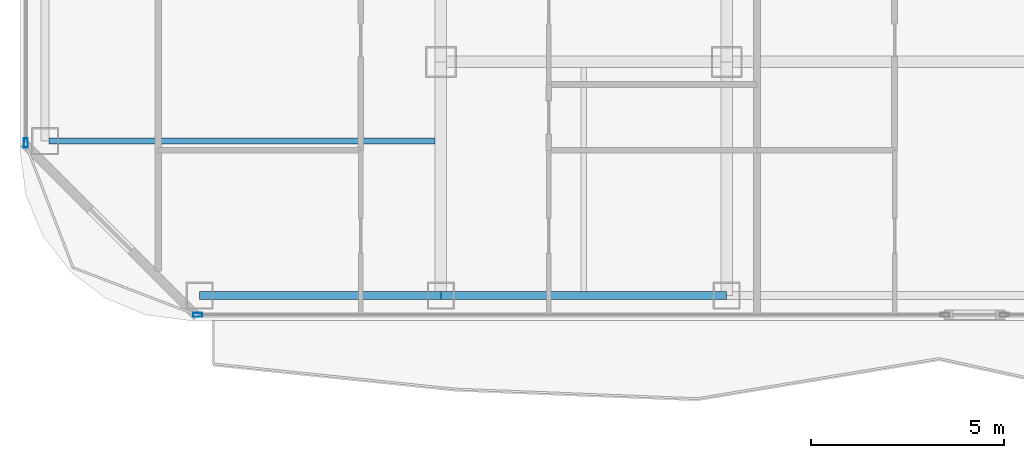
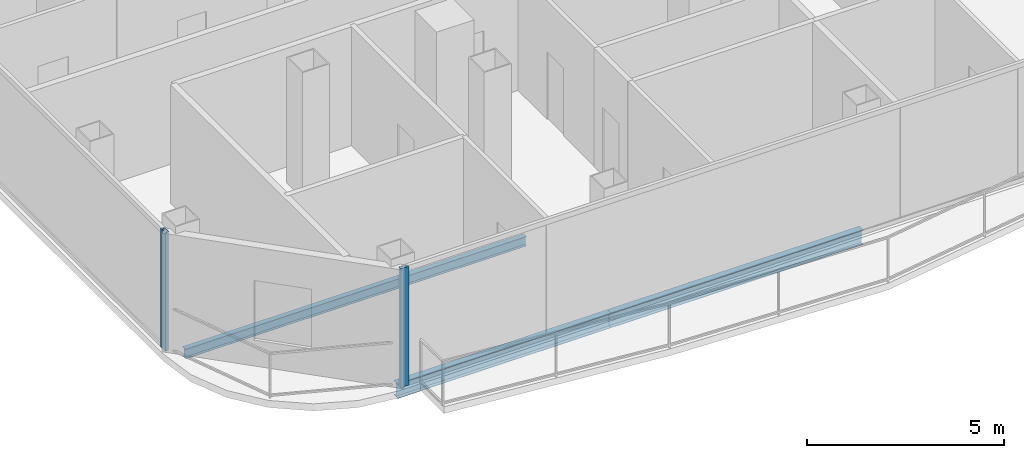
# One storey, part 2 of 26: 3 beams, 2 members, 2 elements without a shape of their own.
"""IFC4 building model written with IfcOpenShell, lengths in metres."""

from ifc_helpers import new_model, si_unit, direction, frame, origin, origin_2d, place, context, subcontext, project, spatial, hollow_rectangle, i_section, extrude, material, layer, layer_set, material_profile, profile_set, type_object, element, aggregate, save


model = new_model("IFC4")

# Units and contexts
model_context = context("Model", 3, precision=1e-05, world=origin(), true_north=direction((0.0, 1.0)))
body_context = subcontext(model_context, "Body", "Model", "MODEL_VIEW")
ifc_project = project(units=[si_unit("LENGTHUNIT", "METRE"), si_unit("AREAUNIT", "SQUARE_METRE"), si_unit("VOLUMEUNIT", "CUBIC_METRE"), si_unit("PLANEANGLEUNIT", "RADIAN"), si_unit("MASSUNIT", "GRAM", prefix="KILO")], contexts=[model_context])

# Site, building, storey
site_placement = place(None, origin())
site = spatial("IfcSite", under=ifc_project, at=site_placement, CompositionType="ELEMENT")
building_placement = place(site_placement, origin())
building = spatial("IfcBuilding", under=site, at=building_placement, Name="Khorvyn Point Tower", CompositionType="ELEMENT")
storey_placement = place(building_placement, frame((0.0, 0.0, 183.60009765625)))
storey = spatial("IfcBuildingStorey", under=building, at=storey_placement, Name="L45", CompositionType="ELEMENT", Elevation=183.60009765625)

# Curtain wall, member
ifc_material_1 = material(Name="Anodised aluminium 6063-T6 and laminated Low-E glass", Category="aluminium")
ifc_layer = layer(ifc_material_1, 0.18994140625)
ifc_layer_set = layer_set([ifc_layer], Name="Stick-Built Acoustic Curtain Wall CW-SYS-03")
curtain_wall_type = type_object("IfcCurtainWallType", Name="Stick-Built Acoustic Curtain Wall CW-SYS-03", PredefinedType="NOTDEFINED", material=ifc_layer_set)
curtain_wall_1_placement = place(storey_placement, origin())
curtain_wall_1 = element("IfcCurtainWall", 1, at=curtain_wall_1_placement, inside=storey, type_object=curtain_wall_type, Name="Curtain Wall", PredefinedType="NOTDEFINED")
ifc_material_2 = material(Name="Anodised aluminium 6063-T6", Category="aluminium")
ifc_material_profile_1 = material_profile(ifc_material_2, hollow_rectangle(XDim=0.10009765625, YDim=0.239990234375, WallThickness=0.0048828125, at=origin_2d()))
ifc_profile_set_1 = profile_set([ifc_material_profile_1], Name="Anodised aluminium 6063-T6 ALU-MUL-100x240")
member_type = type_object("IfcMemberType", Name="Anodised Aluminium 6063-T6 Mullion ALU-MUL-100x240", PredefinedType="MULLION", material=ifc_profile_set_1)
member_1_placement = place(storey_placement, frame((-21.10009765625, -23.64990234375, 0.0), z_axis=(0.0, 0.0, 1.0), x_axis=(0.0, -1.0, 0.0)))
member_1 = element("IfcMember", 2, at=member_1_placement, type_object=member_type, Name="Transom", PredefinedType="MULLION", context=body_context, shape_type="SweptSolid", body=[
    extrude(hollow_rectangle(XDim=0.10009765625, YDim=0.239990234375, WallThickness=0.0048828125, at=origin_2d()), origin(), (0.0, 0.0, 1.0), 3.679931640625),
])
aggregate(curtain_wall_1, [member_1])

curtain_wall_2_placement = place(storey_placement, origin())
curtain_wall_2 = element("IfcCurtainWall", 3, at=curtain_wall_2_placement, inside=storey, type_object=curtain_wall_type, Name="Curtain Wall", PredefinedType="NOTDEFINED")
member_2_placement = place(storey_placement, frame((-25.550048828125, -19.199951171875, 0.0), z_axis=(0.0, 0.0, 1.0), x_axis=(-1.0, 0.0, 0.0)))
member_2 = element("IfcMember", 4, at=member_2_placement, type_object=member_type, Name="Transom", PredefinedType="MULLION", context=body_context, shape_type="SweptSolid", body=[
    extrude(hollow_rectangle(XDim=0.10009765625, YDim=0.239990234375, WallThickness=0.0048828125, at=origin_2d()), origin(), (0.0, 0.0, 1.0), 3.679931640625),
])
aggregate(curtain_wall_2, [member_2])

# Beams
ifc_material_3 = material(Name="Steel S355", Category="steel")
ifc_material_profile_2 = material_profile(ifc_material_3, i_section(OverallWidth=0.14990234375, OverallDepth=0.300048828125, WebThickness=0.006591796875, FlangeThickness=0.009033203125, at=origin_2d()))
ifc_profile_set_2 = profile_set([ifc_material_profile_2], Name="Steel S355 H300x150x6.5x9")
beam_type_1 = type_object("IfcBeamType", Name="Steel S355 Joist H300x150x6.5x9", PredefinedType="JOIST", material=ifc_profile_set_2)
beam_1_placement = place(storey_placement, frame((-24.949951171875, -19.14990234375, -0.3701171875), z_axis=(1.0, 0.0, 0.0), x_axis=(0.0, 1.0, 0.0)))
element("IfcBeam", 5, at=beam_1_placement, inside=storey, type_object=beam_type_1, Name="Beam", PredefinedType="JOIST", context=body_context, shape_type="SweptSolid", body=[
    extrude(i_section(OverallWidth=0.14990234375, OverallDepth=0.300048828125, WebThickness=0.006591796875, FlangeThickness=0.009033203125, at=origin_2d()), origin(), (0.0, 0.0, 1.0), 10.0),
])
ifc_material_profile_3 = material_profile(ifc_material_3, i_section(OverallWidth=0.199951171875, OverallDepth=0.449951171875, WebThickness=0.009033203125, FlangeThickness=0.013916015625, at=origin_2d()))
ifc_profile_set_3 = profile_set([ifc_material_profile_3], Name="Steel S355 H450x200x9x14")
beam_type_2 = type_object("IfcBeamType", Name="Steel S355 Spandrel H450x200x9x14", PredefinedType="SPANDREL", material=ifc_profile_set_3)
beam_2_placement = place(storey_placement, frame((-21.050048828125, -23.14990234375, -0.445068359375), z_axis=(1.0, 0.0, 0.0), x_axis=(0.0, 1.0, 0.0)))
element("IfcBeam", 6, at=beam_2_placement, inside=storey, type_object=beam_type_2, Name="Beam", PredefinedType="SPANDREL", context=body_context, shape_type="SweptSolid", body=[
    extrude(i_section(OverallWidth=0.199951171875, OverallDepth=0.449951171875, WebThickness=0.009033203125, FlangeThickness=0.013916015625, at=origin_2d()), origin(), (0.0, 0.0, 1.0), 6.25),
])
beam_3_placement = place(storey_placement, frame((-14.800048828125, -23.14990234375, -0.445068359375), z_axis=(1.0, 0.0, 0.0), x_axis=(0.0, 1.0, 0.0)))
element("IfcBeam", 7, at=beam_3_placement, inside=storey, type_object=beam_type_2, Name="Beam", PredefinedType="SPANDREL", context=body_context, shape_type="SweptSolid", body=[
    extrude(i_section(OverallWidth=0.199951171875, OverallDepth=0.449951171875, WebThickness=0.009033203125, FlangeThickness=0.013916015625, at=origin_2d()), origin(), (0.0, 0.0, 1.0), 7.400146484375),
])

save(model, "model.ifc")
